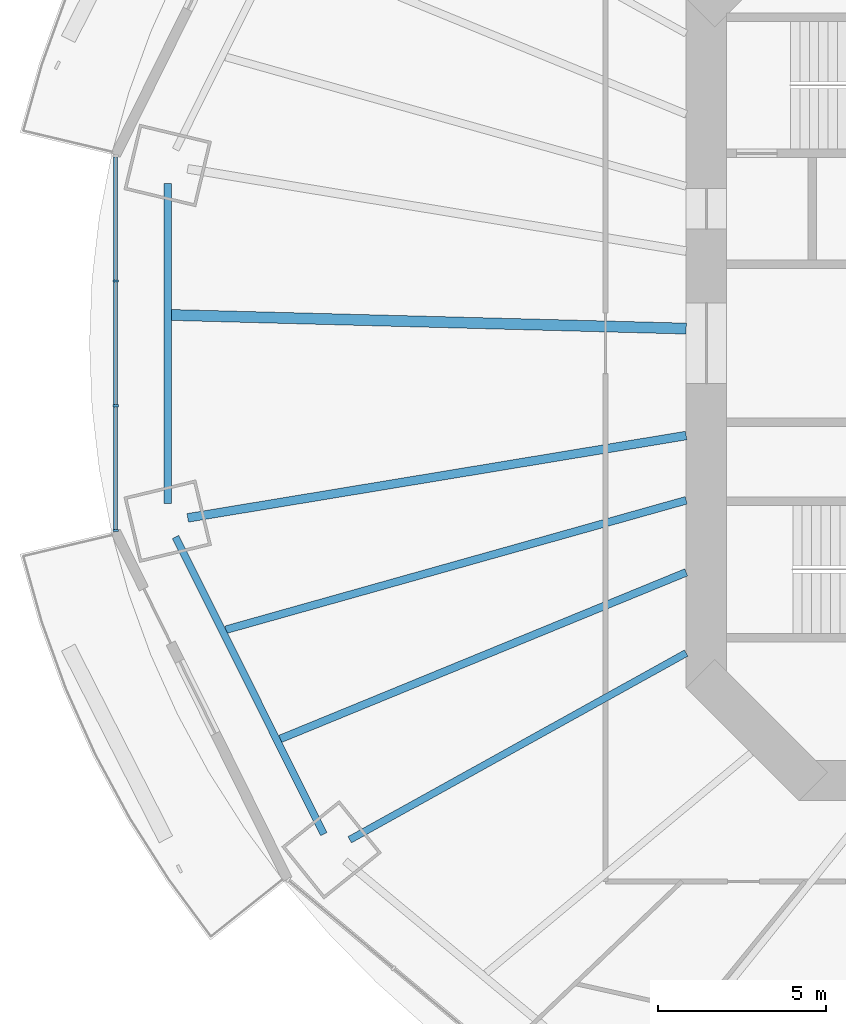
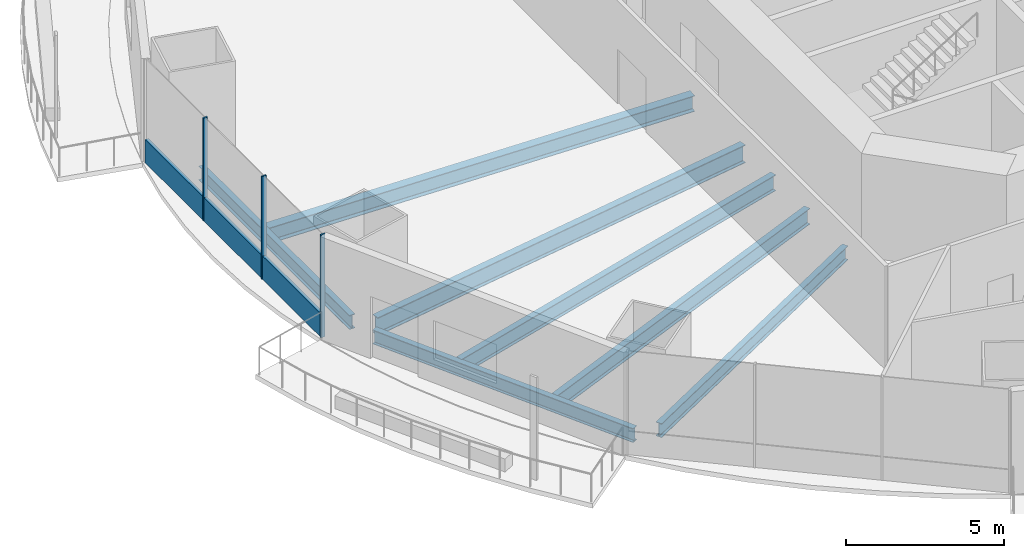
# One storey, part 3 of 22: 7 beams, 4 members, 1 element without a shape of its own.
"""IFC4 building model written with IfcOpenShell, lengths in metres."""

from ifc_helpers import new_model, si_unit, direction, frame, origin, origin_2d, place, context, subcontext, project, spatial, rectangle, i_section, extrude, material, material_profile, profile_set, type_object, element, aggregate, save


model = new_model("IFC4")

# Units and contexts
model_context = context("Model", 3, precision=1e-05, world=origin(), true_north=direction((0.0, 1.0)))
body_context = subcontext(model_context, "Body", "Model", "MODEL_VIEW")
ifc_project = project(units=[si_unit("LENGTHUNIT", "METRE"), si_unit("AREAUNIT", "SQUARE_METRE"), si_unit("VOLUMEUNIT", "CUBIC_METRE"), si_unit("PLANEANGLEUNIT", "RADIAN"), si_unit("MASSUNIT", "GRAM", prefix="KILO")], contexts=[model_context])

# Site, building, storey
site_placement = place(None, origin())
site = spatial("IfcSite", under=ifc_project, at=site_placement, CompositionType="ELEMENT")
building_placement = place(site_placement, origin())
building = spatial("IfcBuilding", under=site, at=building_placement, Name="Marenthal Gate Tower", CompositionType="ELEMENT")
storey_placement = place(building_placement, frame((0.0, 0.0, 107.699951171875)))
storey = spatial("IfcBuildingStorey", under=building, at=storey_placement, Name="L22", CompositionType="ELEMENT", Elevation=107.699951171875)

# Curtain wall, members
ifc_material_1 = material(Name="Aluminium and glass", Category="aluminium")
curtain_wall_type = type_object("IfcCurtainWallType", Name="Curtain wall typical low", PredefinedType="NOTDEFINED", material=ifc_material_1)
curtain_wall_placement = place(storey_placement, origin())
curtain_wall = element("IfcCurtainWall", 1, at=curtain_wall_placement, inside=storey, type_object=curtain_wall_type, Name="Curtain wall L22 bay 8", PredefinedType="NOTDEFINED")
ifc_material_2 = material(Name="Aluminium", Category="aluminium")
ifc_material_profile_1 = material_profile(ifc_material_2, rectangle(XDim=0.159912109375, YDim=0.06005859375, at=origin_2d()), Name="60x160 aluminium mullion")
ifc_profile_set_1 = profile_set([ifc_material_profile_1], Name="Aluminium")
member_type_1 = type_object("IfcMemberType", Name="Mullion 60x160 typical low", PredefinedType="MULLION", material=ifc_profile_set_1)
member_1_placement = place(storey_placement, frame((-33.568359375, 1.855712890625, 0.0), z_axis=(0.0, 0.0, 1.0), x_axis=(1.0, 0.0, 0.0)))
member_1 = element("IfcMember", 2, at=member_1_placement, type_object=member_type_1, Name="Mullion L22 bay 8.2", PredefinedType="MULLION", context=body_context, shape_type="SweptSolid", body=[
    extrude(rectangle(XDim=0.159912109375, YDim=0.06005859375, at=origin_2d()), origin(), (0.0, 0.0, 1.0), 3.969970703125),
])
member_2_placement = place(storey_placement, frame((-33.568359375, -1.855712890625, 0.0), z_axis=(0.0, 0.0, 1.0), x_axis=(1.0, 0.0, 0.0)))
member_2 = element("IfcMember", 3, at=member_2_placement, type_object=member_type_1, Name="Mullion L22 bay 8.3", PredefinedType="MULLION", context=body_context, shape_type="SweptSolid", body=[
    extrude(rectangle(XDim=0.159912109375, YDim=0.06005859375, at=origin_2d()), origin(), (0.0, 0.0, 1.0), 3.969970703125),
])
member_3_placement = place(storey_placement, frame((-33.568359375, -5.56689453125, 0.0), z_axis=(0.0, 0.0, 1.0), x_axis=(1.0, 0.0, 0.0)))
member_3 = element("IfcMember", 4, at=member_3_placement, type_object=member_type_1, Name="Mullion L22 bay 8.4", PredefinedType="MULLION", context=body_context, shape_type="SweptSolid", body=[
    extrude(rectangle(XDim=0.159912109375, YDim=0.06005859375, at=origin_2d()), origin(), (0.0, 0.0, 1.0), 3.969970703125),
])
ifc_material_3 = material(Name="Aluminium", Category="aluminium")
ifc_material_profile_2 = material_profile(ifc_material_3, rectangle(XDim=0.1201171875, YDim=0.89990234375, at=origin_2d()), Name="120x900 aluminium transom")
ifc_profile_set_2 = profile_set([ifc_material_profile_2], Name="Aluminium")
member_type_2 = type_object("IfcMemberType", Name="Transom 120x900 typical low", PredefinedType="USERDEFINED", material=ifc_profile_set_2)
member_4_placement = place(storey_placement, frame((-33.568359375, 5.536865234375, 0.449951171875), z_axis=(0.0, -1.0, 0.0), x_axis=(1.0, 0.0, 0.0)))
member_4 = element("IfcMember", 5, at=member_4_placement, type_object=member_type_2, Name="Transom L22 bay 8", ObjectType="TRANSOM", PredefinedType="USERDEFINED", context=body_context, shape_type="SweptSolid", body=[
    extrude(rectangle(XDim=0.1201171875, YDim=0.89990234375, at=origin_2d()), origin(), (0.0, 0.0, 1.0), 11.07373046875),
])
aggregate(curtain_wall, [member_1, member_2, member_3, member_4])

# Beams
ifc_material_4 = material(Name="Steel S355", Category="steel")
ifc_material_profile_3 = material_profile(ifc_material_4, i_section(OverallWidth=0.2119140625, OverallDepth=0.5439453125, WebThickness=0.01318359375, FlangeThickness=0.021240234375, FilletRadius=0.0126953125, at=origin_2d()), Name="W530X123")
ifc_profile_set_3 = profile_set([ifc_material_profile_3], Name="Steel S355")
beam_type_1 = type_object("IfcBeamType", Name="W530X123 beam", PredefinedType="BEAM", material=ifc_profile_set_3)
beam_1_placement = place(storey_placement, frame((-26.605224609375, -14.761474609375, -0.451904296875), z_axis=(0.87442184895, 0.485166394218, 0.0), x_axis=(-0.485166394218, 0.87442184895, 0.0)))
element("IfcBeam", 6, at=beam_1_placement, inside=storey, type_object=beam_type_1, Name="BM-L22-10", PredefinedType="BEAM", context=body_context, shape_type="SweptSolid", body=[
    extrude(i_section(OverallWidth=0.2119140625, OverallDepth=0.5439453125, WebThickness=0.01318359375, FlangeThickness=0.021240234375, FilletRadius=0.0126953125, at=origin_2d()), origin(), (0.0, 0.0, 1.0), 11.44189453125),
])
beam_2_placement = place(storey_placement, frame((-32.018798828125, 4.76025390625, -0.451904296875), z_axis=(0.0, -1.0, 0.0), x_axis=(1.0, 0.0, 0.0)))
element("IfcBeam", 7, at=beam_2_placement, inside=storey, type_object=beam_type_1, Name="BM-L22-48", PredefinedType="BEAM", context=body_context, shape_type="SweptSolid", body=[
    extrude(i_section(OverallWidth=0.2119140625, OverallDepth=0.5439453125, WebThickness=0.01318359375, FlangeThickness=0.021240234375, FilletRadius=0.0126953125, at=origin_2d()), origin(), (0.0, 0.0, 1.0), 9.5205078125),
])
beam_3_placement = place(storey_placement, frame((-31.78369140625, -5.759521484375, -0.451904296875), z_axis=(0.446372399163, -0.894847294942, 0.0), x_axis=(0.894847294942, 0.446372399163, 0.0)))
element("IfcBeam", 8, at=beam_3_placement, inside=storey, type_object=beam_type_1, Name="BM-L22-49", PredefinedType="BEAM", context=body_context, shape_type="SweptSolid", body=[
    extrude(i_section(OverallWidth=0.2119140625, OverallDepth=0.5439453125, WebThickness=0.01318359375, FlangeThickness=0.021240234375, FilletRadius=0.0126953125, at=origin_2d()), origin(), (0.0, 0.0, 1.0), 9.8701171875),
])
ifc_material_5 = material(Name="Steel S355", Category="steel")
ifc_material_profile_4 = material_profile(ifc_material_5, i_section(OverallWidth=0.22900390625, OverallDepth=0.612060546875, WebThickness=0.011962890625, FlangeThickness=0.01953125, FilletRadius=0.0126953125, at=origin_2d()), Name="W610X125")
ifc_profile_set_4 = profile_set([ifc_material_profile_4], Name="Steel S355")
beam_type_2 = type_object("IfcBeamType", Name="W610X125 beam", PredefinedType="BEAM", material=ifc_profile_set_4)
beam_4_placement = place(storey_placement, frame((-30.2900390625, -8.5166015625, -0.48583984375), z_axis=(0.962672470775, 0.270669011917, 0.0), x_axis=(-0.270669011917, 0.962672470775, 0.0)))
element("IfcBeam", 9, at=beam_4_placement, inside=storey, type_object=beam_type_2, Name="BM-L22-29", PredefinedType="BEAM", context=body_context, shape_type="SweptSolid", body=[
    extrude(i_section(OverallWidth=0.22900390625, OverallDepth=0.612060546875, WebThickness=0.011962890625, FlangeThickness=0.01953125, FilletRadius=0.0126953125, at=origin_2d()), origin(), (0.0, 0.0, 1.0), 14.220703125),
])
beam_5_placement = place(storey_placement, frame((-28.670654296875, -11.7626953125, -0.48583984375), z_axis=(0.925165248612, 0.379564569949, 0.0), x_axis=(-0.379564569949, 0.925165248612, 0.0)))
element("IfcBeam", 10, at=beam_5_placement, inside=storey, type_object=beam_type_2, Name="BM-L22-30", PredefinedType="BEAM", context=body_context, shape_type="SweptSolid", body=[
    extrude(i_section(OverallWidth=0.22900390625, OverallDepth=0.612060546875, WebThickness=0.011962890625, FlangeThickness=0.01953125, FilletRadius=0.0126953125, at=origin_2d()), origin(), (0.0, 0.0, 1.0), 13.046875),
])
ifc_material_6 = material(Name="Steel S355", Category="steel")
ifc_material_profile_5 = material_profile(ifc_material_6, i_section(OverallWidth=0.324951171875, OverallDepth=0.612060546875, WebThickness=0.0126953125, FlangeThickness=0.01904296875, FilletRadius=0.0126953125, at=origin_2d()), Name="W610X155")
ifc_profile_set_5 = profile_set([ifc_material_profile_5], Name="Steel S355")
beam_type_3 = type_object("IfcBeamType", Name="W610X155 beam", PredefinedType="BEAM", material=ifc_profile_set_5)
beam_6_placement = place(storey_placement, frame((-31.91259765625, 0.843505859375, -0.48583984375), z_axis=(0.999650779754, -0.02642571736, 0.0), x_axis=(0.02642571736, 0.999650779754, 0.0)))
element("IfcBeam", 11, at=beam_6_placement, inside=storey, type_object=beam_type_3, Name="BM-L22-28", PredefinedType="BEAM", context=body_context, shape_type="SweptSolid", body=[
    extrude(i_section(OverallWidth=0.324951171875, OverallDepth=0.612060546875, WebThickness=0.0126953125, FlangeThickness=0.01904296875, FilletRadius=0.0126953125, at=origin_2d()), origin(), (0.0, 0.0, 1.0), 15.31787109375),
])
ifc_material_7 = material(Name="Steel S355", Category="steel")
ifc_material_profile_6 = material_profile(ifc_material_7, i_section(OverallWidth=0.257080078125, OverallDepth=0.693115234375, WebThickness=0.014404296875, FlangeThickness=0.023681640625, FilletRadius=0.015380859375, at=origin_2d()), Name="W690X170")
ifc_profile_set_6 = profile_set([ifc_material_profile_6], Name="Steel S355")
beam_type_4 = type_object("IfcBeamType", Name="W690X170 beam", PredefinedType="BEAM", material=ifc_profile_set_6)
beam_7_placement = place(storey_placement, frame((-31.423828125, -5.190185546875, -0.5263671875), z_axis=(0.986631792526, 0.162965352074, 0.0), x_axis=(-0.162965352074, 0.986631792526, 0.0)))
element("IfcBeam", 12, at=beam_7_placement, inside=storey, type_object=beam_type_4, Name="BM-L22-09", PredefinedType="BEAM", context=body_context, shape_type="SweptSolid", body=[
    extrude(i_section(OverallWidth=0.257080078125, OverallDepth=0.693115234375, WebThickness=0.014404296875, FlangeThickness=0.023681640625, FilletRadius=0.015380859375, at=origin_2d()), origin(), (0.0, 0.0, 1.0), 15.024658203125),
])

save(model, "model.ifc")
